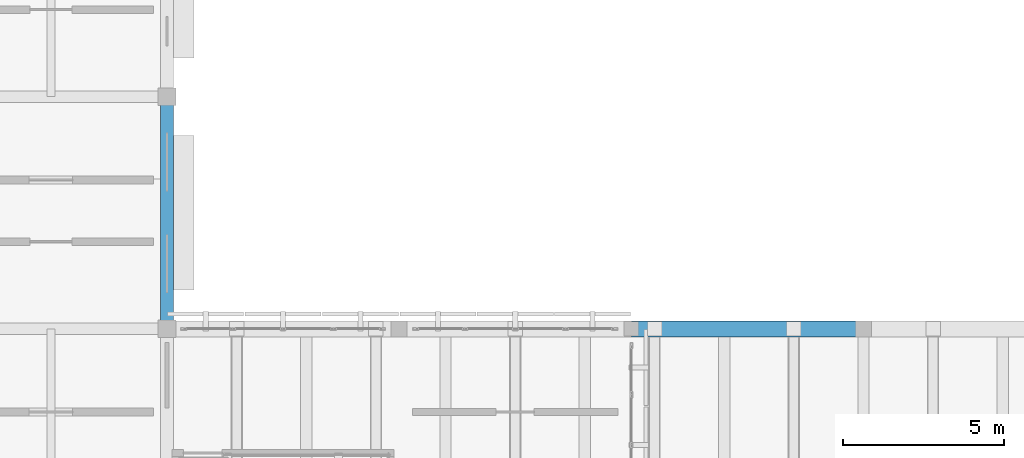
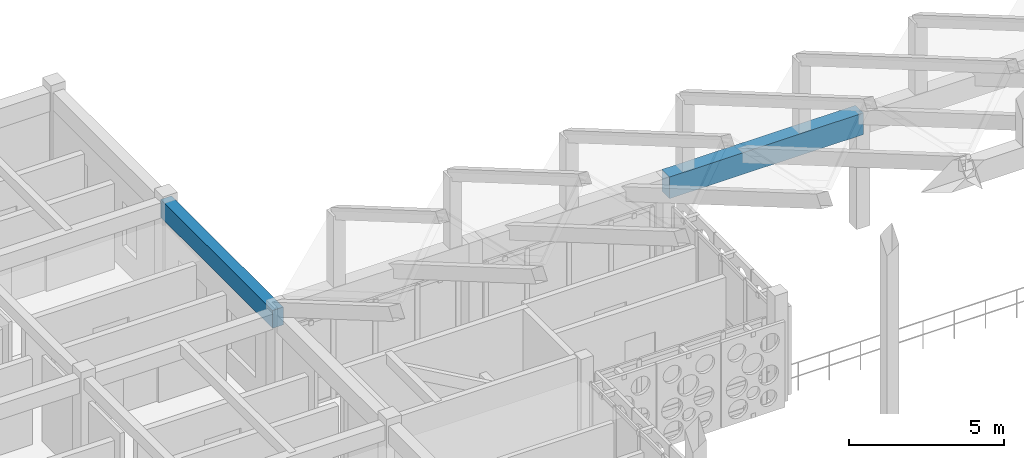
# One storey, part 58 of 171: 2 beams.
"""IFC4 building model written with IfcOpenShell, lengths in metres."""

from ifc_helpers import new_model, si_unit, direction, frame, origin, origin_2d, place, context, subcontext, project, spatial, rectangle, extrude, material, material_profile, profile_set, type_object, element, save


model = new_model("IFC4")

# Units and contexts
model_context = context("Model", 3, precision=1e-05, world=origin(), true_north=direction((0.0, 1.0)))
body_context = subcontext(model_context, "Body", "Model", "MODEL_VIEW")
ifc_project = project(units=[si_unit("LENGTHUNIT", "METRE"), si_unit("AREAUNIT", "SQUARE_METRE"), si_unit("VOLUMEUNIT", "CUBIC_METRE"), si_unit("PLANEANGLEUNIT", "RADIAN"), si_unit("MASSUNIT", "GRAM", prefix="KILO")], contexts=[model_context])

# Site, building, storey
site_placement = place(None, origin())
site = spatial("IfcSite", under=ifc_project, at=site_placement, CompositionType="ELEMENT")
building_placement = place(site_placement, origin())
building = spatial("IfcBuilding", under=site, at=building_placement, Name="Aldebral Square Health Centre", CompositionType="ELEMENT")
storey_placement = place(building_placement, frame((0.0, 0.0, 4.5)))
storey = spatial("IfcBuildingStorey", under=building, at=storey_placement, Name="L01", CompositionType="ELEMENT", Elevation=4.5)

# Beams
ifc_material = material(Name="Concrete C40/50", Category="concrete")
ifc_material_profile_1 = material_profile(ifc_material, rectangle(XDim=0.5, YDim=0.85009765625, at=origin_2d()), Name="RC 500x850")
ifc_profile_set_1 = profile_set([ifc_material_profile_1], Name="Concrete C40/50")
beam_type_1 = type_object("IfcBeamType", Name="BM-G1", PredefinedType="T_BEAM", material=ifc_profile_set_1)
beam_1_placement = place(storey_placement, frame((79.199951171875, 100.800048828125, 4.074951171875), z_axis=(1.0, 0.0, 0.0), x_axis=(0.0, 1.0, 0.0)))
element("IfcBeam", 1, at=beam_1_placement, inside=storey, type_object=beam_type_1, Name="Waiting Hall diaphragm girder EAVE-N 12", PredefinedType="T_BEAM", context=body_context, shape_type="SweptSolid", body=[
    extrude(rectangle(XDim=0.5, YDim=0.85009765625, at=origin_2d()), origin(), (0.0, 0.0, 1.0), 7.199951171875),
])
ifc_material_profile_2 = material_profile(ifc_material, rectangle(XDim=0.39990234375, YDim=0.699951171875, at=origin_2d()), Name="RC 400x700")
ifc_profile_set_2 = profile_set([ifc_material_profile_2], Name="Concrete C40/50")
beam_type_2 = type_object("IfcBeamType", Name="BM-G3", PredefinedType="T_BEAM", material=ifc_profile_set_2)
beam_2_placement = place(storey_placement, frame((64.800048828125, 100.800048828125, 3.8701171875), z_axis=(0.0, 1.0, 0.0), x_axis=(-1.0, 0.0, 0.0)))
element("IfcBeam", 2, at=beam_2_placement, inside=storey, type_object=beam_type_2, Name="L01 Y-beam G10/15-16", PredefinedType="T_BEAM", context=body_context, shape_type="SweptSolid", body=[
    extrude(rectangle(XDim=0.39990234375, YDim=0.699951171875, at=origin_2d()), origin(), (0.0, 0.0, 1.0), 7.199951171875),
])

save(model, "model.ifc")
